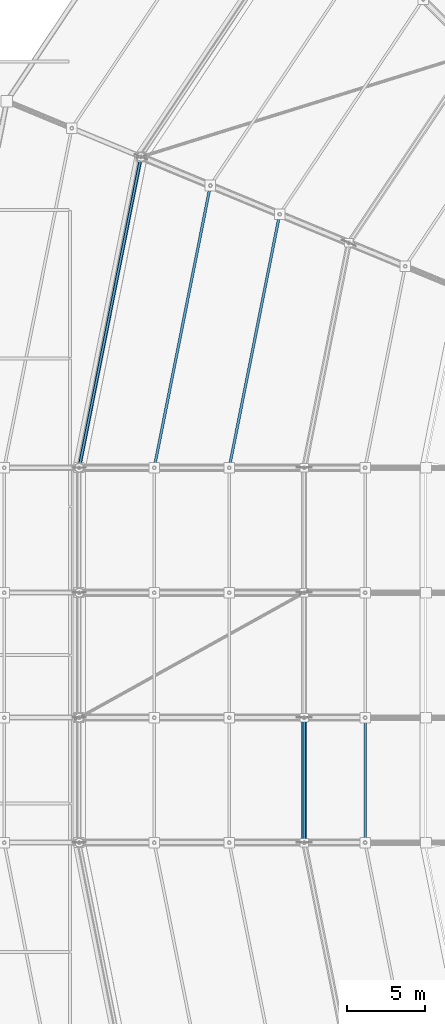
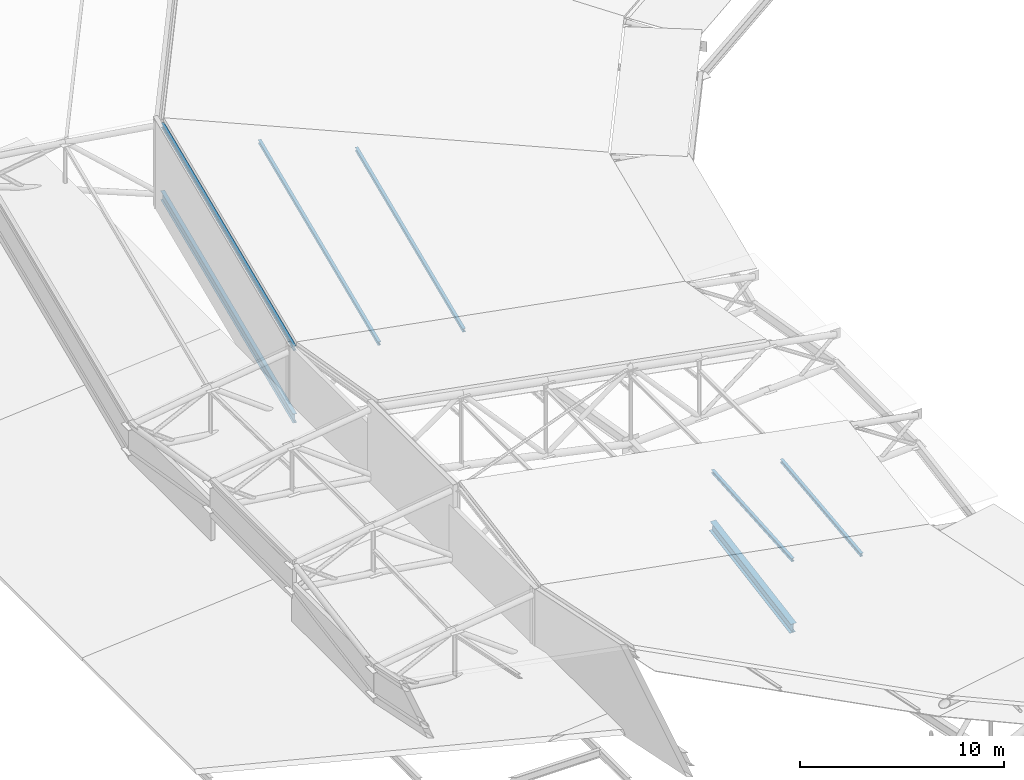
# One storey, part 41 of 146: 4 members, 3 beams.
"""IFC4 building model written with IfcOpenShell, lengths in metres."""

from ifc_helpers import new_model, si_unit, direction, frame, origin, origin_2d, place, context, subcontext, project, spatial, i_section, extrude, material, material_profile, profile_set, type_object, element, save


model = new_model("IFC4")

# Units and contexts
model_context = context("Model", 3, precision=1e-05, world=origin(), true_north=direction((0.0, 1.0)))
body_context = subcontext(model_context, "Body", "Model", "MODEL_VIEW")
ifc_project = project(units=[si_unit("LENGTHUNIT", "METRE"), si_unit("AREAUNIT", "SQUARE_METRE"), si_unit("VOLUMEUNIT", "CUBIC_METRE"), si_unit("PLANEANGLEUNIT", "RADIAN"), si_unit("MASSUNIT", "GRAM", prefix="KILO")], contexts=[model_context])

# Site, building, storey
site_placement = place(None, origin())
site = spatial("IfcSite", under=ifc_project, at=site_placement, CompositionType="ELEMENT")
building_placement = place(site_placement, origin())
building = spatial("IfcBuilding", under=site, at=building_placement, Name="Candeia Ridge Stadium", CompositionType="ELEMENT")
storey_placement = place(building_placement, frame((0.0, 0.0, 31.800048828125)))
storey = spatial("IfcBuildingStorey", under=building, at=storey_placement, Name="RF", CompositionType="ELEMENT", Elevation=31.800048828125)

# Beams
ifc_material = material(Name="Steel ASTM A572 Grade 50", Category="steel")
ifc_material_profile_1 = material_profile(ifc_material, i_section(OverallWidth=0.14794921875, OverallDepth=0.26611328125, WebThickness=0.007568359375, FlangeThickness=0.012939453125, FilletRadius=0.010986328125, at=origin_2d()), Name="W250x44.8", Category="steel")
ifc_profile_set_1 = profile_set([ifc_material_profile_1], Name="Steel ASTM A572 Grade 50")
beam_type_1 = type_object("IfcBeamType", Name="Canopy Edge Spandrel W250x44.8", PredefinedType="SPANDREL", material=ifc_profile_set_1)
beam_1_placement = place(storey_placement, frame((22.950439453125, 114.8603515625, 4.599853515625), z_axis=(-0.195089178874, -0.980785507788, 0.0), x_axis=(0.980785507788, -0.195089178874, 0.0)))
element("IfcBeam", 1, at=beam_1_placement, inside=storey, type_object=beam_type_1, Name="Roof crown cap ring beam bay 11", PredefinedType="SPANDREL", context=body_context, shape_type="SweptSolid", body=[
    extrude(i_section(OverallWidth=0.14794921875, OverallDepth=0.26611328125, WebThickness=0.007568359375, FlangeThickness=0.012939453125, FilletRadius=0.010986328125, at=origin_2d()), origin(), (0.0, 0.0, 1.0), 20.20947265625),
])
ifc_material_profile_2 = material_profile(ifc_material, i_section(OverallWidth=0.324951171875, OverallDepth=0.615966796875, WebThickness=0.013916015625, FlangeThickness=0.021484375, FilletRadius=0.014892578125, at=origin_2d()), Name="W610x174", Category="steel")
ifc_profile_set_2 = profile_set([ifc_material_profile_2], Name="Steel ASTM A572 Grade 50")
beam_type_2 = type_object("IfcBeamType", Name="Roof Compression Ring Beam W610x174", PredefinedType="BEAM", material=ifc_profile_set_2)
beam_2_placement = place(storey_placement, frame((33.39990234375, 78.960693359375, -1.28515625), z_axis=(0.0, -0.985328318339, -0.170669578656), x_axis=(1.0, 0.0, 0.0)))
element("IfcBeam", 2, at=beam_2_placement, inside=storey, type_object=beam_type_2, Name="Roof compression ring beam bay 14", PredefinedType="BEAM", context=body_context, shape_type="SweptSolid", body=[
    extrude(i_section(OverallWidth=0.324951171875, OverallDepth=0.615966796875, WebThickness=0.013916015625, FlangeThickness=0.021484375, FilletRadius=0.014892578125, at=origin_2d()), origin(), (0.0, 0.0, 1.0), 8.039306640625),
])
ifc_material_profile_3 = material_profile(ifc_material, i_section(OverallWidth=0.2119140625, OverallDepth=0.5439453125, WebThickness=0.01318359375, FlangeThickness=0.021240234375, FilletRadius=0.013916015625, at=origin_2d()), Name="W530x123", Category="steel")
ifc_profile_set_3 = profile_set([ifc_material_profile_3], Name="Steel ASTM A572 Grade 50")
beam_type_3 = type_object("IfcBeamType", Name="Roof Perimeter Ring Beam W530x123", PredefinedType="BEAM", material=ifc_profile_set_3)
beam_3_placement = place(storey_placement, frame((22.950439453125, 114.8603515625, 0.39990234375), z_axis=(-0.195089178874, -0.980785507788, 0.0), x_axis=(0.980785507788, -0.195089178874, 0.0)))
element("IfcBeam", 3, at=beam_3_placement, inside=storey, type_object=beam_type_3, Name="Roof perimeter ring beam bay 11", PredefinedType="BEAM", context=body_context, shape_type="SweptSolid", body=[
    extrude(i_section(OverallWidth=0.2119140625, OverallDepth=0.5439453125, WebThickness=0.01318359375, FlangeThickness=0.021240234375, FilletRadius=0.013916015625, at=origin_2d()), origin(), (0.0, 0.0, 1.0), 20.20947265625),
])

# Members
ifc_material_profile_4 = material_profile(ifc_material, i_section(OverallWidth=0.1650390625, OverallDepth=0.200927734375, WebThickness=0.006103515625, FlangeThickness=0.01025390625, FilletRadius=0.010009765625, at=origin_2d()), Name="W200x35.9", Category="steel")
ifc_profile_set_4 = profile_set([ifc_material_profile_4], Name="Steel ASTM A572 Grade 50")
member_type = type_object("IfcMemberType", Name="Roof Purlin W200x35.9", PredefinedType="PURLIN", material=ifc_profile_set_4)
member_1_placement = place(storey_placement, frame((31.81787109375, 111.1767578125, 2.303955078125), z_axis=(-0.195091006457, -0.980785144259, 0.0), x_axis=(0.980785144259, -0.195091006457, 0.0)))
element("IfcMember", 4, at=member_1_placement, inside=storey, type_object=member_type, Name="Saddle roof steel purlin bay 11-3", PredefinedType="PURLIN", context=body_context, shape_type="SweptSolid", body=[
    extrude(i_section(OverallWidth=0.1650390625, OverallDepth=0.200927734375, WebThickness=0.006103515625, FlangeThickness=0.01025390625, FilletRadius=0.010009765625, at=origin_2d()), origin(), (0.0, 0.0, 1.0), 16.443603515625),
])
member_2_placement = place(storey_placement, frame((27.383056640625, 113.013671875, 3.19189453125), z_axis=(-0.19508302995, -0.980786730857, 0.0), x_axis=(0.980786730857, -0.19508302995, 0.0)))
element("IfcMember", 5, at=member_2_placement, inside=storey, type_object=member_type, Name="Saddle roof steel purlin bay 11-4", PredefinedType="PURLIN", context=body_context, shape_type="SweptSolid", body=[
    extrude(i_section(OverallWidth=0.1650390625, OverallDepth=0.200927734375, WebThickness=0.006103515625, FlangeThickness=0.01025390625, FilletRadius=0.010009765625, at=origin_2d()), origin(), (0.0, 0.0, 1.0), 18.31640625),
])
member_3_placement = place(storey_placement, frame((37.300048828125, 78.9501953125, 1.248779296875), z_axis=(0.0, -0.993733021818, -0.111779610612), x_axis=(1.0, 0.0, 0.0)))
element("IfcMember", 6, at=member_3_placement, inside=storey, type_object=member_type, Name="Saddle roof steel purlin bay 14-1", PredefinedType="PURLIN", context=body_context, shape_type="SweptSolid", body=[
    extrude(i_section(OverallWidth=0.1650390625, OverallDepth=0.200927734375, WebThickness=0.006103515625, FlangeThickness=0.01025390625, FilletRadius=0.010009765625, at=origin_2d()), origin(), (0.0, 0.0, 1.0), 7.9501953125),
])
member_4_placement = place(storey_placement, frame((33.39990234375, 78.9501953125, 1.972412109375), z_axis=(0.0, -0.997559396595, -0.069822992376), x_axis=(1.0, 0.0, 0.0)))
element("IfcMember", 7, at=member_4_placement, inside=storey, type_object=member_type, Name="Saddle roof steel purlin bay 14-2", PredefinedType="PURLIN", context=body_context, shape_type="SweptSolid", body=[
    extrude(i_section(OverallWidth=0.1650390625, OverallDepth=0.200927734375, WebThickness=0.006103515625, FlangeThickness=0.01025390625, FilletRadius=0.010009765625, at=origin_2d()), origin(), (0.0, 0.0, 1.0), 7.919677734375),
])

save(model, "model.ifc")
